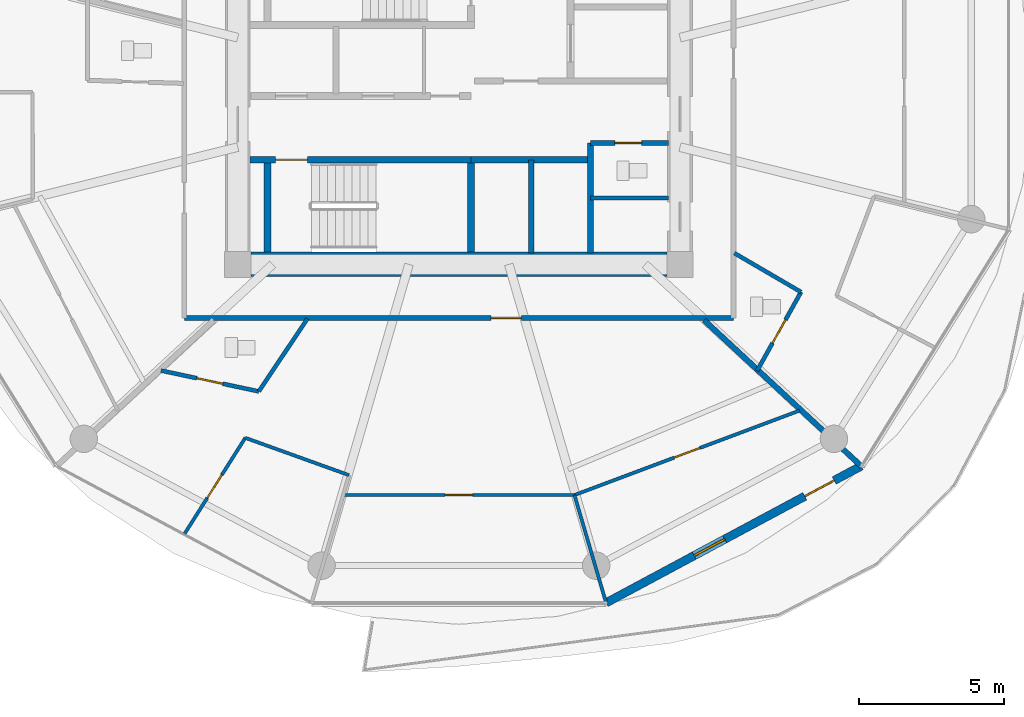
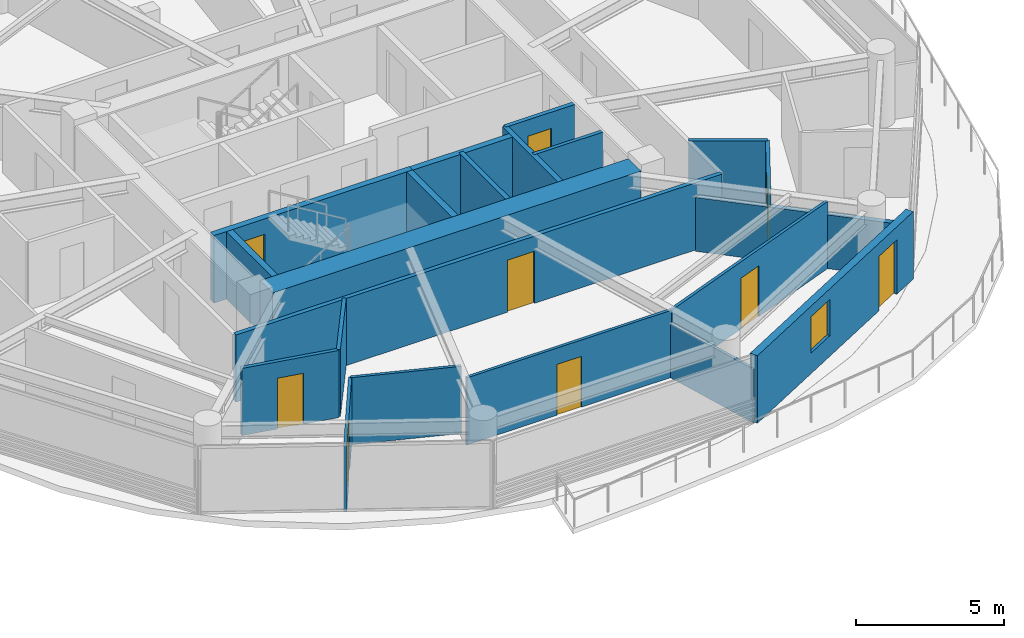
# One storey, part 18 of 27: 21 walls, 9 doors, 1 window, 10 openings.
"""IFC4 building model written with IfcOpenShell, lengths in metres."""

from ifc_helpers import new_model, si_unit, direction, frame, frame_2d, origin, place, context, subcontext, project, spatial, rectangle, extrude, source, transform, mapped, material, layer, layer_set, type_object, type_shapes, element, fill, save


model = new_model("IFC4")

# Units and contexts
model_context = context("Model", 3, precision=1e-05, world=origin(), true_north=direction((0.0, 1.0)))
body_context = subcontext(model_context, "Body", "Model", "MODEL_VIEW")
ifc_project = project(units=[si_unit("LENGTHUNIT", "METRE"), si_unit("AREAUNIT", "SQUARE_METRE"), si_unit("VOLUMEUNIT", "CUBIC_METRE"), si_unit("PLANEANGLEUNIT", "RADIAN"), si_unit("MASSUNIT", "GRAM", prefix="KILO")], contexts=[model_context])

# Site, building, storey
site_placement = place(None, origin())
site = spatial("IfcSite", under=ifc_project, at=site_placement, CompositionType="ELEMENT")
building_placement = place(site_placement, origin())
building = spatial("IfcBuilding", under=site, at=building_placement, Name="Norrkilde Senior Care Towers", CompositionType="ELEMENT")
storey_placement = place(building_placement, frame((0.0, 0.0, 36.85009765625)))
storey = spatial("IfcBuildingStorey", under=building, at=storey_placement, Name="L10", CompositionType="ELEMENT", Elevation=36.85009765625)

# Wall
ifc_material_1 = material(Name="Concrete C60/75", Category="concrete")
ifc_layer_1 = layer(ifc_material_1, 0.85009765625)
ifc_layer_set_1 = layer_set([ifc_layer_1], Name="Concrete C60/75")
wall_type_1 = type_object("IfcWallType", Name="Core Shear Wall Z1 850", PredefinedType="SHEAR", material=ifc_layer_set_1)
shared_shape_1 = source(origin(), body_context, "Body", "SweptSolid", [
    extrude(rectangle(XDim=14.39990234375, YDim=0.85009765625, at=frame_2d((7.199951171875, 0.0))), origin(), (0.0, 0.0, 1.0), 2.789794921875),
])
type_shapes(wall_type_1, [shared_shape_1])
wall_1_placement = place(storey_placement, frame((35.199951171875, -5.949951171875, 0.0), z_axis=(0.0, 0.0, 1.0), x_axis=(-1.0, 0.0, 0.0)))
element("IfcWall", 1, at=wall_1_placement, inside=storey, type_object=wall_type_1, Name="L10 Core E South Shear Wall", PredefinedType="SHEAR", context=body_context, shape_type="MappedRepresentation", body=[
    mapped(shared_shape_1, transform((0.0, 0.0, 0.0), x_axis=(1.0, 0.0, 0.0), y_axis=(0.0, 1.0, 0.0), z_axis=(0.0, 0.0, 1.0), scale=1.0)),
])

# Wall, openings, door, window
ifc_material_2 = material(Name="Precast concrete C45/55", Category="concrete")
ifc_layer_2 = layer(ifc_material_2, 0.2900390625)
ifc_layer_set_2 = layer_set([ifc_layer_2], Name="Precast concrete C45/55")
wall_type_2 = type_object("IfcWallType", Name="Winter Garden Facade Wall 290", PredefinedType="SOLIDWALL", material=ifc_layer_set_2)
shared_shape_2 = source(origin(), body_context, "Body", "SweptSolid", [
    extrude(rectangle(XDim=10.0107421875, YDim=0.2900390625, at=frame_2d((5.00537109375, 0.0))), origin(), (0.0, 0.0, 1.0), 2.789794921875),
])
type_shapes(wall_type_2, [shared_shape_2])
wall_2_placement = place(storey_placement, frame((41.915771484375, -12.926025390625, 0.0), z_axis=(0.0, 0.0, 1.0), x_axis=(-0.881272505317, -0.472608475773, 0.0)))
wall_2 = element("IfcWall", 2, at=wall_2_placement, inside=storey, type_object=wall_type_2, Name="L10 Drum E Balcony Access Wall 09", PredefinedType="SOLIDWALL", context=body_context, shape_type="MappedRepresentation", body=[
    mapped(shared_shape_2, transform((0.0, 0.0, 0.0), x_axis=(1.0, 0.0, 0.0), y_axis=(0.0, 1.0, 0.0), z_axis=(0.0, 0.0, 1.0), scale=1.0)),
])
opening_1_placement = place(wall_2_placement, frame((1.06005859375, 0.0, 0.0)))
opening_1 = element("IfcOpeningElement", 3, at=opening_1_placement, cuts=wall_2, Name="Opening D-09", PredefinedType="OPENING", context=body_context, shape_type="SweptSolid", body=[
    extrude(rectangle(XDim=1.14990234375, YDim=2.25, at=frame_2d((0.574951171875, 1.125))), frame((0.0, 0.155029296875, 0.0), z_axis=(0.0, -1.0, 0.0), x_axis=(1.0, 0.0, 0.0)), (0.0, 0.0, 1.0), 0.31005859375),
])
opening_2_placement = place(wall_2_placement, frame((5.35546875, 0.0, 0.85009765625)))
opening_2 = element("IfcOpeningElement", 4, at=opening_2_placement, cuts=wall_2, Name="Opening WN-07", PredefinedType="OPENING", context=body_context, shape_type="SweptSolid", body=[
    extrude(rectangle(XDim=1.199951171875, YDim=1.5, at=frame_2d((0.60009765625, 0.75))), frame((0.0, 0.155029296875, 0.0), z_axis=(0.0, -1.0, 0.0), x_axis=(1.0, 0.0, 0.0)), (0.0, 0.0, 1.0), 0.31005859375),
])
ifc_material_3 = material(Name="Anodised Aluminium", Category="aluminium")
door_type_1 = type_object("IfcDoorType", Name="Terrace and Balcony Glazed Door 1150x2250", OperationType="NOTDEFINED", PredefinedType="DOOR", material=ifc_material_3)
shared_shape_3 = source(origin(), body_context, "Body", "SweptSolid", [
    extrude(rectangle(XDim=1.14990234375, YDim=2.25, at=frame_2d((0.574951171875, 1.125))), frame((0.0, 0.02490234375, 0.0), z_axis=(0.0, -1.0, 0.0), x_axis=(1.0, 0.0, 0.0)), (0.0, 0.0, 1.0), 0.050048828125),
])
type_shapes(door_type_1, [shared_shape_3])
door_1_placement = place(opening_1_placement, origin())
door_1 = element("IfcDoor", 5, at=door_1_placement, inside=storey, type_object=door_type_1, Name="L10 Drum E Outdoor Terrace Door 09", OperationType="SINGLE_SWING_RIGHT", OverallHeight=2.25, OverallWidth=1.14990234375, PredefinedType="DOOR", context=body_context, shape_type="MappedRepresentation", body=[
    mapped(shared_shape_3, transform((0.0, 0.0, 0.0), x_axis=(1.0, 0.0, 0.0), y_axis=(0.0, 1.0, 0.0), z_axis=(0.0, 0.0, 1.0), scale=1.0)),
])
fill(opening_1, door_1)
ifc_material_4 = material(Name="Triple Low-E Insulated Glazing", Category="glass")
window_type = type_object("IfcWindowType", Name="Stairwell Smoke Vent Window 1200x1500", PartitioningType="SINGLE_PANEL", PredefinedType="WINDOW", material=ifc_material_4)
shared_shape_4 = source(origin(), body_context, "Body", "SweptSolid", [
    extrude(rectangle(XDim=1.199951171875, YDim=1.5, at=frame_2d((0.60009765625, 0.75))), frame((0.0, 0.030029296875, 0.0), z_axis=(0.0, -1.0, 0.0), x_axis=(1.0, 0.0, 0.0)), (0.0, 0.0, 1.0), 0.06005859375),
])
type_shapes(window_type, [shared_shape_4])
window_placement = place(opening_2_placement, origin())
window = element("IfcWindow", 6, at=window_placement, inside=storey, type_object=window_type, Name="L10 Drum E Winter Garden Window 09", OverallHeight=1.5, OverallWidth=1.199951171875, PartitioningType="SINGLE_PANEL", PredefinedType="WINDOW", context=body_context, shape_type="MappedRepresentation", body=[
    mapped(shared_shape_4, transform((0.0, 0.0, 0.0), x_axis=(1.0, 0.0, 0.0), y_axis=(0.0, 1.0, 0.0), z_axis=(0.0, 0.0, 1.0), scale=1.0)),
])
fill(opening_2, window)

# Wall, opening, door
ifc_material_5 = material(Name="Concrete C45/55", Category="concrete")
ifc_layer_3 = layer(ifc_material_5, 0.239990234375)
ifc_layer_set_3 = layer_set([ifc_layer_3], Name="Concrete C45/55")
wall_type_3 = type_object("IfcWallType", Name="Shaft and Stair Enclosure Wall 240", PredefinedType="PARTITIONING", material=ifc_layer_set_3)
shared_shape_5 = source(origin(), body_context, "Body", "SweptSolid", [
    extrude(rectangle(XDim=7.76513671875, YDim=0.239990234375, at=frame_2d((3.882568359375, 0.0))), origin(), (0.0, 0.0, 1.0), 2.789794921875),
])
wall_3_placement = place(storey_placement, frame((20.77490234375, -2.330078125, 0.0), z_axis=(0.0, 0.0, 1.0), x_axis=(1.0, 0.0, 0.0)))
wall_3 = element("IfcWall", 7, at=wall_3_placement, inside=storey, type_object=wall_type_3, Name="WL-INT-L10-E-ST2N", PredefinedType="PARTITIONING", context=body_context, shape_type="MappedRepresentation", body=[
    mapped(shared_shape_5, transform((0.0, 0.0, 0.0), x_axis=(1.0, 0.0, 0.0), y_axis=(0.0, 1.0, 0.0), z_axis=(0.0, 0.0, 1.0), scale=1.0)),
])
opening_3_placement = place(wall_3_placement, frame((0.885009765625, 0.0, 0.0)))
opening_3 = element("IfcOpeningElement", 8, at=opening_3_placement, cuts=wall_3, Name="Opening D-03", PredefinedType="OPENING", context=body_context, shape_type="SweptSolid", body=[
    extrude(rectangle(XDim=1.10009765625, YDim=2.14990234375, at=frame_2d((0.550048828125, 1.074951171875))), frame((0.0, 0.1298828125, 0.0), z_axis=(0.0, -1.0, 0.0), x_axis=(1.0, 0.0, 0.0)), (0.0, 0.0, 1.0), 0.260009765625),
])
ifc_material_6 = material(Name="Galvanised Painted Steel", Category="steel")
door_type_2 = type_object("IfcDoorType", Name="Stairwell Protected Fire Door 1100x2150", OperationType="NOTDEFINED", PredefinedType="DOOR", material=ifc_material_6)
shared_shape_6 = source(origin(), body_context, "Body", "SweptSolid", [
    extrude(rectangle(XDim=1.10009765625, YDim=2.14990234375, at=frame_2d((0.550048828125, 1.074951171875))), frame((0.0, 0.02490234375, 0.0), z_axis=(0.0, -1.0, 0.0), x_axis=(1.0, 0.0, 0.0)), (0.0, 0.0, 1.0), 0.050048828125),
])
type_shapes(door_type_2, [shared_shape_6])
door_2_placement = place(opening_3_placement, frame((1.10009765625, 0.0, 0.0), z_axis=(0.0, 0.0, 1.0), x_axis=(-1.0, 0.0, 0.0)))
door_2 = element("IfcDoor", 9, at=door_2_placement, inside=storey, type_object=door_type_2, Name="L10 Stair E2 Fire Door", OperationType="SINGLE_SWING_RIGHT", OverallHeight=2.14990234375, OverallWidth=1.10009765625, PredefinedType="DOOR", context=body_context, shape_type="MappedRepresentation", body=[
    mapped(shared_shape_6, transform((0.0, 0.0, 0.0), x_axis=(1.0, 0.0, 0.0), y_axis=(0.0, 1.0, 0.0), z_axis=(0.0, 0.0, 1.0), scale=1.0)),
])
fill(opening_3, door_2)

# Walls
shared_shape_7 = source(origin(), body_context, "Body", "SweptSolid", [
    extrude(rectangle(XDim=3.074951171875, YDim=0.239990234375, at=frame_2d((1.53759765625, 0.0))), origin(), (0.0, 0.0, 1.0), 2.789794921875),
])
type_shapes(wall_type_3, [shared_shape_5, shared_shape_7])
for number, where, z_axis, x_axis, name in (
    (10, (21.3798828125, -5.52490234375, 0.0), (0.0, 0.0, 1.0), (0.0, 1.0, 0.0), "WL-INT-L10-E-ST2W"),
    (11, (28.419921875, -5.52490234375, 0.0), (0.0, 0.0, 1.0), (0.0, 1.0, 0.0), "WL-INT-L10-E-ST2E"),
):
    element("IfcWall", number, at=place(storey_placement, frame(where, z_axis=z_axis, x_axis=x_axis)), inside=storey, type_object=wall_type_3, Name=name, PredefinedType="PARTITIONING", context=body_context, shape_type="MappedRepresentation", body=[
        mapped(shared_shape_7, transform((0.0, 0.0, 0.0), x_axis=(1.0, 0.0, 0.0), y_axis=(0.0, 1.0, 0.0), z_axis=(0.0, 0.0, 1.0), scale=1.0)),
    ])
ifc_layer_4 = layer(ifc_material_5, 0.199951171875)
ifc_layer_set_4 = layer_set([ifc_layer_4], Name="Concrete C45/55")
wall_type_4 = type_object("IfcWallType", Name="Shaft Division and Plant Partition 200", PredefinedType="PARTITIONING", material=ifc_layer_set_4)
shared_shape_8 = source(origin(), body_context, "Body", "SweptSolid", [
    extrude(rectangle(XDim=3.800048828125, YDim=0.199951171875, at=frame_2d((1.89990234375, 0.0))), origin(), (0.0, 0.0, 1.0), 2.77490234375),
])
type_shapes(wall_type_4, [shared_shape_8])
wall_4_placement = place(storey_placement, frame((32.550048828125, -5.550048828125, 0.0), z_axis=(0.0, 0.0, 1.0), x_axis=(0.0, 1.0, 0.0)))
element("IfcWall", 12, at=wall_4_placement, inside=storey, type_object=wall_type_4, Name="WL-INT-L10-E-PKBE", PredefinedType="PARTITIONING", context=body_context, shape_type="MappedRepresentation", body=[
    mapped(shared_shape_8, transform((0.0, 0.0, 0.0), x_axis=(1.0, 0.0, 0.0), y_axis=(0.0, 1.0, 0.0), z_axis=(0.0, 0.0, 1.0), scale=1.0)),
])
ifc_layer_5 = layer(ifc_material_5, 0.239990234375)
ifc_layer_set_5 = layer_set([ifc_layer_5], Name="Concrete C45/55")
wall_type_5 = type_object("IfcWallType", Name="Lift and Plant Rated Enclosure Partition 240", PredefinedType="PARTITIONING", material=ifc_layer_set_5)
shared_shape_9 = source(origin(), body_context, "Body", "SweptSolid", [
    extrude(rectangle(XDim=4.130126953125, YDim=0.239990234375, at=frame_2d((2.06494140625, 0.0))), origin(), (0.0, 0.0, 1.0), 2.77490234375),
])
type_shapes(wall_type_5, [shared_shape_9])
wall_5_placement = place(storey_placement, frame((28.419921875, -2.330078125, 0.0), z_axis=(0.0, 0.0, 1.0), x_axis=(1.0, 0.0, 0.0)))
element("IfcWall", 13, at=wall_5_placement, inside=storey, type_object=wall_type_5, Name="WL-INT-L10-E-PKBN", PredefinedType="PARTITIONING", context=body_context, shape_type="MappedRepresentation", body=[
    mapped(shared_shape_9, transform((0.0, 0.0, 0.0), x_axis=(1.0, 0.0, 0.0), y_axis=(0.0, 1.0, 0.0), z_axis=(0.0, 0.0, 1.0), scale=1.0)),
])
ifc_layer_6 = layer(ifc_material_5, 0.179931640625)
ifc_layer_set_6 = layer_set([ifc_layer_6], Name="Concrete C45/55")
wall_type_6 = type_object("IfcWallType", Name="Hoistway Division Rated Partition 180", PredefinedType="PARTITIONING", material=ifc_layer_set_6)
shared_shape_10 = source(origin(), body_context, "Body", "SweptSolid", [
    extrude(rectangle(XDim=3.219970703125, YDim=0.179931640625, at=frame_2d((1.60986328125, 0.0))), origin(), (0.0, 0.0, 1.0), 2.77490234375),
])
type_shapes(wall_type_6, [shared_shape_10])
wall_6_placement = place(storey_placement, frame((30.5, -5.550048828125, 0.0), z_axis=(0.0, 0.0, 1.0), x_axis=(0.0, 1.0, 0.0)))
element("IfcWall", 14, at=wall_6_placement, inside=storey, type_object=wall_type_6, Name="WL-INT-L10-E-PL34", PredefinedType="PARTITIONING", context=body_context, shape_type="MappedRepresentation", body=[
    mapped(shared_shape_10, transform((0.0, 0.0, 0.0), x_axis=(1.0, 0.0, 0.0), y_axis=(0.0, 1.0, 0.0), z_axis=(0.0, 0.0, 1.0), scale=1.0)),
])

# Wall, opening, door
ifc_material_7 = material(Name="Gypsum Acoustic Board")
ifc_layer_7 = layer(ifc_material_7, 0.1650390625)
ifc_layer_set_7 = layer_set([ifc_layer_7], Name="Gypsum Acoustic Board")
wall_type_7 = type_object("IfcWallType", Name="Corridor Rated Partition 165", PredefinedType="PARTITIONING", material=ifc_layer_set_7)
shared_shape_11 = source(origin(), body_context, "Body", "SweptSolid", [
    extrude(rectangle(XDim=2.699951171875, YDim=0.1650390625, at=frame_2d((1.35009765625, 0.0))), origin(), (0.0, 0.0, 1.0), 2.77490234375),
])
wall_7_placement = place(storey_placement, frame((32.550048828125, -1.75, 0.0), z_axis=(0.0, 0.0, 1.0), x_axis=(1.0, 0.0, 0.0)))
wall_7 = element("IfcWall", 15, at=wall_7_placement, inside=storey, type_object=wall_type_7, Name="WL-INT-L10-E-CSN", PredefinedType="PARTITIONING", context=body_context, shape_type="MappedRepresentation", body=[
    mapped(shared_shape_11, transform((0.0, 0.0, 0.0), x_axis=(1.0, 0.0, 0.0), y_axis=(0.0, 1.0, 0.0), z_axis=(0.0, 0.0, 1.0), scale=1.0)),
])
opening_4_placement = place(wall_7_placement, frame((0.85009765625, 0.0, 0.0)))
opening_4 = element("IfcOpeningElement", 16, at=opening_4_placement, cuts=wall_7, Name="Opening D-12", PredefinedType="OPENING", context=body_context, shape_type="SweptSolid", body=[
    extrude(rectangle(XDim=0.925048828125, YDim=2.10009765625, at=frame_2d((0.46240234375, 1.050048828125))), frame((0.0, 0.092529296875, 0.0), z_axis=(0.0, -1.0, 0.0), x_axis=(1.0, 0.0, 0.0)), (0.0, 0.0, 1.0), 0.18505859375),
])
door_type_3 = type_object("IfcDoorType", Name="Core Wet Room Rated Door 925x2100", OperationType="NOTDEFINED", PredefinedType="DOOR", material=ifc_material_6)
shared_shape_12 = source(origin(), body_context, "Body", "SweptSolid", [
    extrude(rectangle(XDim=0.925048828125, YDim=2.10009765625, at=frame_2d((0.46240234375, 1.050048828125))), frame((0.0, 0.02490234375, 0.0), z_axis=(0.0, -1.0, 0.0), x_axis=(1.0, 0.0, 0.0)), (0.0, 0.0, 1.0), 0.050048828125),
])
type_shapes(door_type_3, [shared_shape_12])
door_3_placement = place(opening_4_placement, origin())
door_3 = element("IfcDoor", 17, at=door_3_placement, inside=storey, type_object=door_type_3, Name="L10 Staff WC E Door", OperationType="SINGLE_SWING_LEFT", OverallHeight=2.10009765625, OverallWidth=0.925048828125, PredefinedType="DOOR", context=body_context, shape_type="MappedRepresentation", body=[
    mapped(shared_shape_12, transform((0.0, 0.0, 0.0), x_axis=(1.0, 0.0, 0.0), y_axis=(0.0, 1.0, 0.0), z_axis=(0.0, 0.0, 1.0), scale=1.0)),
])
fill(opening_4, door_3)

# Wall
ifc_layer_8 = layer(ifc_material_7, 0.139892578125)
ifc_layer_set_8 = layer_set([ifc_layer_8], Name="Gypsum Acoustic Board")
wall_type_8 = type_object("IfcWallType", Name="En-suite Wet Room Wall 140", PredefinedType="PARTITIONING", material=ifc_layer_set_8)
shared_shape_13 = source(origin(), body_context, "Body", "SweptSolid", [
    extrude(rectangle(XDim=2.699951171875, YDim=0.139892578125, at=frame_2d((1.35009765625, 0.0))), origin(), (0.0, 0.0, 1.0), 2.77490234375),
])
wall_8_placement = place(storey_placement, frame((32.550048828125, -3.64990234375, 0.0), z_axis=(0.0, 0.0, 1.0), x_axis=(1.0, 0.0, 0.0)))
element("IfcWall", 18, at=wall_8_placement, inside=storey, type_object=wall_type_8, Name="WL-INT-L10-E-CS2H", PredefinedType="PARTITIONING", context=body_context, shape_type="MappedRepresentation", body=[
    mapped(shared_shape_13, transform((0.0, 0.0, 0.0), x_axis=(1.0, 0.0, 0.0), y_axis=(0.0, 1.0, 0.0), z_axis=(0.0, 0.0, 1.0), scale=1.0)),
])

# Wall, opening, door
shared_shape_14 = source(origin(), body_context, "Body", "SweptSolid", [
    extrude(rectangle(XDim=19.0, YDim=0.1650390625, at=frame_2d((9.5, 0.0))), origin(), (0.0, 0.0, 1.0), 2.77490234375),
])
type_shapes(wall_type_7, [shared_shape_11, shared_shape_14])
wall_9_placement = place(storey_placement, frame((37.5, -7.800048828125, 0.0), z_axis=(0.0, 0.0, 1.0), x_axis=(-1.0, 0.0, 0.0)))
wall_9 = element("IfcWall", 19, at=wall_9_placement, inside=storey, type_object=wall_type_7, Name="WL-INT-L10-E-CRW-S-0", PredefinedType="PARTITIONING", context=body_context, shape_type="MappedRepresentation", body=[
    mapped(shared_shape_14, transform((0.0, 0.0, 0.0), x_axis=(1.0, 0.0, 0.0), y_axis=(0.0, 1.0, 0.0), z_axis=(0.0, 0.0, 1.0), scale=1.0)),
])
opening_5_placement = place(wall_9_placement, frame((7.33642578125, 0.0, 0.0)))
opening_5 = element("IfcOpeningElement", 20, at=opening_5_placement, cuts=wall_9, Name="Opening D-06", PredefinedType="OPENING", context=body_context, shape_type="SweptSolid", body=[
    extrude(rectangle(XDim=1.050048828125, YDim=2.14990234375, at=frame_2d((0.52490234375, 1.074951171875))), frame((0.0, 0.092529296875, 0.0), z_axis=(0.0, -1.0, 0.0), x_axis=(1.0, 0.0, 0.0)), (0.0, 0.0, 1.0), 0.18505859375),
])
ifc_material_8 = material(Name="Nordic Ash Timber", Category="wood")
door_type_4 = type_object("IfcDoorType", Name="Apartment Entrance Fire Door 1050x2150", OperationType="NOTDEFINED", PredefinedType="DOOR", material=ifc_material_8)
shared_shape_15 = source(origin(), body_context, "Body", "SweptSolid", [
    extrude(rectangle(XDim=1.050048828125, YDim=2.14990234375, at=frame_2d((0.52490234375, 1.074951171875))), frame((0.0, 0.02490234375, 0.0), z_axis=(0.0, -1.0, 0.0), x_axis=(1.0, 0.0, 0.0)), (0.0, 0.0, 1.0), 0.050048828125),
])
type_shapes(door_type_4, [shared_shape_15])
door_4_placement = place(opening_5_placement, frame((1.050048828125, 0.0, 0.0), z_axis=(0.0, 0.0, 1.0), x_axis=(-1.0, 0.0, 0.0)))
door_4 = element("IfcDoor", 21, at=door_4_placement, inside=storey, type_object=door_type_4, Name="Apartment 10E Entrance Door", OperationType="SINGLE_SWING_RIGHT", OverallHeight=2.14990234375, OverallWidth=1.050048828125, PredefinedType="DOOR", context=body_context, shape_type="MappedRepresentation", body=[
    mapped(shared_shape_15, transform((0.0, 0.0, 0.0), x_axis=(1.0, 0.0, 0.0), y_axis=(0.0, 1.0, 0.0), z_axis=(0.0, 0.0, 1.0), scale=1.0)),
])
fill(opening_5, door_4)

# Wall
ifc_layer_9 = layer(ifc_material_7, 0.18994140625)
ifc_layer_set_9 = layer_set([ifc_layer_9], Name="Gypsum Acoustic Board")
wall_type_9 = type_object("IfcWallType", Name="Unit Demising Acoustic Wall 190", PredefinedType="PARTITIONING", material=ifc_layer_set_9)
shared_shape_16 = source(origin(), body_context, "Body", "SweptSolid", [
    extrude(rectangle(XDim=7.4345703125, YDim=0.18994140625, at=frame_2d((3.71728515625, 0.0))), origin(), (0.0, 0.0, 1.0), 2.224853515625),
])
type_shapes(wall_type_9, [shared_shape_16])
wall_10_placement = place(storey_placement, frame((36.48291015625, -7.8798828125, 0.0), z_axis=(0.0, 0.0, 1.0), x_axis=(0.732651956848, -0.680603489652, 0.0)))
element("IfcWall", 22, at=wall_10_placement, inside=storey, type_object=wall_type_9, Name="WL-INT-L10-E-DEM-10-0", PredefinedType="PARTITIONING", context=body_context, shape_type="MappedRepresentation", body=[
    mapped(shared_shape_16, transform((0.0, 0.0, 0.0), x_axis=(1.0, 0.0, 0.0), y_axis=(0.0, 1.0, 0.0), z_axis=(0.0, 0.0, 1.0), scale=1.0)),
])

# Wall, opening, door
ifc_layer_10 = layer(ifc_material_7, 0.114990234375)
ifc_layer_set_10 = layer_set([ifc_layer_10], Name="Gypsum Acoustic Board")
wall_type_10 = type_object("IfcWallType", Name="Internal Room Partition 115", PredefinedType="PARTITIONING", material=ifc_layer_set_10)
shared_shape_17 = source(origin(), body_context, "Body", "SweptSolid", [
    extrude(rectangle(XDim=7.99267578125, YDim=0.114990234375, at=frame_2d((3.996337890625, 0.0))), origin(), (0.0, 0.0, 1.0), 2.77490234375),
])
wall_11_placement = place(storey_placement, frame((24.003662109375, -13.927001953125, 0.0), z_axis=(0.0, 0.0, 1.0), x_axis=(1.0, 0.0, 0.0)))
wall_11 = element("IfcWall", 23, at=wall_11_placement, inside=storey, type_object=wall_type_10, Name="WL-INT-L10-E-UBC-07-1", PredefinedType="PARTITIONING", context=body_context, shape_type="MappedRepresentation", body=[
    mapped(shared_shape_17, transform((0.0, 0.0, 0.0), x_axis=(1.0, 0.0, 0.0), y_axis=(0.0, 1.0, 0.0), z_axis=(0.0, 0.0, 1.0), scale=1.0)),
])
opening_6_placement = place(wall_11_placement, frame((3.521484375, 0.0, 0.0)))
opening_6 = element("IfcOpeningElement", 24, at=opening_6_placement, cuts=wall_11, Name="Opening D-07", PredefinedType="OPENING", context=body_context, shape_type="SweptSolid", body=[
    extrude(rectangle(XDim=0.949951171875, YDim=2.10009765625, at=frame_2d((0.47509765625, 1.050048828125))), frame((0.0, 0.0673828125, 0.0), z_axis=(0.0, -1.0, 0.0), x_axis=(1.0, 0.0, 0.0)), (0.0, 0.0, 1.0), 0.135009765625),
])
door_type_5 = type_object("IfcDoorType", Name="Internal Suite Bedroom Door 950x2100", OperationType="NOTDEFINED", PredefinedType="DOOR", material=ifc_material_8)
shared_shape_18 = source(origin(), body_context, "Body", "SweptSolid", [
    extrude(rectangle(XDim=0.949951171875, YDim=2.10009765625, at=frame_2d((0.47509765625, 1.050048828125))), frame((0.0, 0.02490234375, 0.0), z_axis=(0.0, -1.0, 0.0), x_axis=(1.0, 0.0, 0.0)), (0.0, 0.0, 1.0), 0.050048828125),
])
type_shapes(door_type_5, [shared_shape_18])
door_5_placement = place(opening_6_placement, origin())
door_5 = element("IfcDoor", 25, at=door_5_placement, inside=storey, type_object=door_type_5, Name="Apartment 10E Bedroom 1 Door", OperationType="SINGLE_SWING_LEFT", OverallHeight=2.10009765625, OverallWidth=0.949951171875, PredefinedType="DOOR", context=body_context, shape_type="MappedRepresentation", body=[
    mapped(shared_shape_18, transform((0.0, 0.0, 0.0), x_axis=(1.0, 0.0, 0.0), y_axis=(0.0, 1.0, 0.0), z_axis=(0.0, 0.0, 1.0), scale=1.0)),
])
fill(opening_6, door_5)

# Wall
shared_shape_19 = source(origin(), body_context, "Body", "SweptSolid", [
    extrude(rectangle(XDim=3.025146484375, YDim=0.139892578125, at=frame_2d((1.5126953125, 0.0))), origin(), (0.0, 0.0, 1.0), 2.77490234375),
])
wall_12_placement = place(storey_placement, frame((22.76025390625, -7.830078125, 0.0), z_axis=(0.0, 0.0, 1.0), x_axis=(-0.556189165904, -0.831055721195, 0.0)))
element("IfcWall", 26, at=wall_12_placement, inside=storey, type_object=wall_type_8, Name="WL-INT-L10-E-UBTS-07", PredefinedType="PARTITIONING", context=body_context, shape_type="MappedRepresentation", body=[
    mapped(shared_shape_19, transform((0.0, 0.0, 0.0), x_axis=(1.0, 0.0, 0.0), y_axis=(0.0, 1.0, 0.0), z_axis=(0.0, 0.0, 1.0), scale=1.0)),
])

# Wall, opening, door
shared_shape_20 = source(origin(), body_context, "Body", "SweptSolid", [
    extrude(rectangle(XDim=3.458984375, YDim=0.139892578125, at=frame_2d((1.7294921875, 0.0))), origin(), (0.0, 0.0, 1.0), 2.77490234375),
])
wall_13_placement = place(storey_placement, frame((21.07763671875, -10.34423828125, 0.0), z_axis=(0.0, 0.0, 1.0), x_axis=(-0.978006468578, 0.208574560815, 0.0)))
wall_13 = element("IfcWall", 27, at=wall_13_placement, inside=storey, type_object=wall_type_8, Name="WL-INT-L10-E-UBTF-07", PredefinedType="PARTITIONING", context=body_context, shape_type="MappedRepresentation", body=[
    mapped(shared_shape_20, transform((0.0, 0.0, 0.0), x_axis=(1.0, 0.0, 0.0), y_axis=(0.0, 1.0, 0.0), z_axis=(0.0, 0.0, 1.0), scale=1.0)),
])
opening_7_placement = place(wall_13_placement, frame((1.26953125, 0.0, 0.0)))
opening_7 = element("IfcOpeningElement", 28, at=opening_7_placement, cuts=wall_13, Name="Opening D-08", PredefinedType="OPENING", context=body_context, shape_type="SweptSolid", body=[
    extrude(rectangle(XDim=0.919921875, YDim=2.10009765625, at=frame_2d((0.4599609375, 1.050048828125))), frame((0.0, 0.079833984375, 0.0), z_axis=(0.0, -1.0, 0.0), x_axis=(1.0, 0.0, 0.0)), (0.0, 0.0, 1.0), 0.159912109375),
])
door_type_6 = type_object("IfcDoorType", Name="Accessible Wet Room Door 920x2100", OperationType="NOTDEFINED", PredefinedType="DOOR", material=ifc_material_8)
shared_shape_21 = source(origin(), body_context, "Body", "SweptSolid", [
    extrude(rectangle(XDim=0.919921875, YDim=2.10009765625, at=frame_2d((0.4599609375, 1.050048828125))), frame((0.0, 0.02490234375, 0.0), z_axis=(0.0, -1.0, 0.0), x_axis=(1.0, 0.0, 0.0)), (0.0, 0.0, 1.0), 0.050048828125),
])
type_shapes(door_type_6, [shared_shape_21])
door_6_placement = place(opening_7_placement, origin())
door_6 = element("IfcDoor", 29, at=door_6_placement, inside=storey, type_object=door_type_6, Name="Apartment 10E Bathroom Door", OperationType="SINGLE_SWING_LEFT", OverallHeight=2.10009765625, OverallWidth=0.919921875, PredefinedType="DOOR", context=body_context, shape_type="MappedRepresentation", body=[
    mapped(shared_shape_21, transform((0.0, 0.0, 0.0), x_axis=(1.0, 0.0, 0.0), y_axis=(0.0, 1.0, 0.0), z_axis=(0.0, 0.0, 1.0), scale=1.0)),
])
fill(opening_7, door_6)

shared_shape_22 = source(origin(), body_context, "Body", "SweptSolid", [
    extrude(rectangle(XDim=8.31982421875, YDim=0.114990234375, at=frame_2d((4.159912109375, 0.0))), origin(), (0.0, 0.0, 1.0), 2.77490234375),
])
wall_14_placement = place(storey_placement, frame((31.997314453125, -13.93017578125, 0.0), z_axis=(0.0, 0.0, 1.0), x_axis=(0.936180763098, 0.351518959382, 0.0)))
wall_14 = element("IfcWall", 30, at=wall_14_placement, inside=storey, type_object=wall_type_10, Name="WL-INT-L10-E-UBC-07-2", PredefinedType="PARTITIONING", context=body_context, shape_type="MappedRepresentation", body=[
    mapped(shared_shape_22, transform((0.0, 0.0, 0.0), x_axis=(1.0, 0.0, 0.0), y_axis=(0.0, 1.0, 0.0), z_axis=(0.0, 0.0, 1.0), scale=1.0)),
])
opening_8_placement = place(wall_14_placement, frame((3.684814453125, 0.0, 0.0)))
opening_8 = element("IfcOpeningElement", 31, at=opening_8_placement, cuts=wall_14, Name="Opening D-07", PredefinedType="OPENING", context=body_context, shape_type="SweptSolid", body=[
    extrude(rectangle(XDim=0.949951171875, YDim=2.10009765625, at=frame_2d((0.47509765625, 1.050048828125))), frame((0.0, 0.0673828125, 0.0), z_axis=(0.0, -1.0, 0.0), x_axis=(1.0, 0.0, 0.0)), (0.0, 0.0, 1.0), 0.135009765625),
])
door_7_placement = place(opening_8_placement, frame((0.949951171875, 0.0, 0.0), z_axis=(0.0, 0.0, 1.0), x_axis=(-1.0, 0.0, 0.0)))
door_7 = element("IfcDoor", 32, at=door_7_placement, inside=storey, type_object=door_type_5, Name="Apartment 10E Bedroom 2 Door", OperationType="SINGLE_SWING_RIGHT", OverallHeight=2.10009765625, OverallWidth=0.949951171875, PredefinedType="DOOR", context=body_context, shape_type="MappedRepresentation", body=[
    mapped(shared_shape_18, transform((0.0, 0.0, 0.0), x_axis=(1.0, 0.0, 0.0), y_axis=(0.0, 1.0, 0.0), z_axis=(0.0, 0.0, 1.0), scale=1.0)),
])
fill(opening_8, door_7)

shared_shape_23 = source(origin(), body_context, "Body", "SweptSolid", [
    extrude(rectangle(XDim=3.974365234375, YDim=0.114990234375, at=frame_2d((1.9873046875, 0.0))), origin(), (0.0, 0.0, 1.0), 2.77490234375),
])
wall_15_placement = place(storey_placement, frame((20.611083984375, -11.9501953125, 0.0), z_axis=(0.0, 0.0, 1.0), x_axis=(-0.534810918023, -0.844971764003, 0.0)))
wall_15 = element("IfcWall", 33, at=wall_15_placement, inside=storey, type_object=wall_type_10, Name="WL-INT-L10-E-UKTS-07", PredefinedType="PARTITIONING", context=body_context, shape_type="MappedRepresentation", body=[
    mapped(shared_shape_23, transform((0.0, 0.0, 0.0), x_axis=(1.0, 0.0, 0.0), y_axis=(0.0, 1.0, 0.0), z_axis=(0.0, 0.0, 1.0), scale=1.0)),
])
opening_9_placement = place(wall_15_placement, frame((1.51220703125, 0.0, 0.0)))
opening_9 = element("IfcOpeningElement", 34, at=opening_9_placement, cuts=wall_15, Name="Opening D-07", PredefinedType="OPENING", context=body_context, shape_type="SweptSolid", body=[
    extrude(rectangle(XDim=0.949951171875, YDim=2.10009765625, at=frame_2d((0.47509765625, 1.050048828125))), frame((0.0, 0.0673828125, 0.0), z_axis=(0.0, -1.0, 0.0), x_axis=(1.0, 0.0, 0.0)), (0.0, 0.0, 1.0), 0.135009765625),
])
door_8_placement = place(opening_9_placement, frame((0.949951171875, 0.0, 0.0), z_axis=(0.0, 0.0, 1.0), x_axis=(-1.0, 0.0, 0.0)))
door_8 = element("IfcDoor", 35, at=door_8_placement, inside=storey, type_object=door_type_5, Name="Apartment 10E Kitchen Door", OperationType="SINGLE_SWING_RIGHT", OverallHeight=2.10009765625, OverallWidth=0.949951171875, PredefinedType="DOOR", context=body_context, shape_type="MappedRepresentation", body=[
    mapped(shared_shape_18, transform((0.0, 0.0, 0.0), x_axis=(1.0, 0.0, 0.0), y_axis=(0.0, 1.0, 0.0), z_axis=(0.0, 0.0, 1.0), scale=1.0)),
])
fill(opening_9, door_8)

# Walls
shared_shape_24 = source(origin(), body_context, "Body", "SweptSolid", [
    extrude(rectangle(XDim=3.814453125, YDim=0.114990234375, at=frame_2d((1.9072265625, 0.0))), origin(), (0.0, 0.0, 1.0), 2.77490234375),
])
wall_16_placement = place(storey_placement, frame((20.611083984375, -11.9501953125, 0.0), z_axis=(0.0, 0.0, 1.0), x_axis=(0.940935542004, -0.338585743637, 0.0)))
element("IfcWall", 36, at=wall_16_placement, inside=storey, type_object=wall_type_10, Name="WL-INT-L10-E-UKTF-07", PredefinedType="PARTITIONING", context=body_context, shape_type="MappedRepresentation", body=[
    mapped(shared_shape_24, transform((0.0, 0.0, 0.0), x_axis=(1.0, 0.0, 0.0), y_axis=(0.0, 1.0, 0.0), z_axis=(0.0, 0.0, 1.0), scale=1.0)),
])
shared_shape_25 = source(origin(), body_context, "Body", "SweptSolid", [
    extrude(rectangle(XDim=2.66943359375, YDim=0.139892578125, at=frame_2d((1.334716796875, 0.0))), origin(), (0.0, 0.0, 1.0), 2.77490234375),
])
wall_17_placement = place(storey_placement, frame((37.530029296875, -5.560546875, 0.0), z_axis=(0.0, 0.0, 1.0), x_axis=(0.86369928178, -0.50400749067, 0.0)))
element("IfcWall", 37, at=wall_17_placement, inside=storey, type_object=wall_type_8, Name="WL-INT-L10-E-UBTS-10", PredefinedType="PARTITIONING", context=body_context, shape_type="MappedRepresentation", body=[
    mapped(shared_shape_25, transform((0.0, 0.0, 0.0), x_axis=(1.0, 0.0, 0.0), y_axis=(0.0, 1.0, 0.0), z_axis=(0.0, 0.0, 1.0), scale=1.0)),
])

# Wall, opening, door
shared_shape_26 = source(origin(), body_context, "Body", "SweptSolid", [
    extrude(rectangle(XDim=3.121337890625, YDim=0.139892578125, at=frame_2d((1.560546875, 0.0))), origin(), (0.0, 0.0, 1.0), 2.77490234375),
])
type_shapes(wall_type_8, [shared_shape_13, shared_shape_19, shared_shape_20, shared_shape_25, shared_shape_26])
wall_18_placement = place(storey_placement, frame((39.835693359375, -6.906005859375, 0.0), z_axis=(0.0, 0.0, 1.0), x_axis=(-0.487302357327, -0.873233309342, 0.0)))
wall_18 = element("IfcWall", 38, at=wall_18_placement, inside=storey, type_object=wall_type_8, Name="WL-INT-L10-E-UBTF-10", PredefinedType="PARTITIONING", context=body_context, shape_type="MappedRepresentation", body=[
    mapped(shared_shape_26, transform((0.0, 0.0, 0.0), x_axis=(1.0, 0.0, 0.0), y_axis=(0.0, 1.0, 0.0), z_axis=(0.0, 0.0, 1.0), scale=1.0)),
])
opening_10_placement = place(wall_18_placement, frame((1.1005859375, 0.0, 0.0)))
opening_10 = element("IfcOpeningElement", 39, at=opening_10_placement, cuts=wall_18, Name="Opening D-08", PredefinedType="OPENING", context=body_context, shape_type="SweptSolid", body=[
    extrude(rectangle(XDim=0.919921875, YDim=2.10009765625, at=frame_2d((0.4599609375, 1.050048828125))), frame((0.0, 0.079833984375, 0.0), z_axis=(0.0, -1.0, 0.0), x_axis=(1.0, 0.0, 0.0)), (0.0, 0.0, 1.0), 0.159912109375),
])
door_9_placement = place(opening_10_placement, origin())
door_9 = element("IfcDoor", 40, at=door_9_placement, inside=storey, type_object=door_type_6, Name="Apartment 10F Bathroom Door", OperationType="SINGLE_SWING_RIGHT", OverallHeight=2.10009765625, OverallWidth=0.919921875, PredefinedType="DOOR", context=body_context, shape_type="MappedRepresentation", body=[
    mapped(shared_shape_21, transform((0.0, 0.0, 0.0), x_axis=(1.0, 0.0, 0.0), y_axis=(0.0, 1.0, 0.0), z_axis=(0.0, 0.0, 1.0), scale=1.0)),
])
fill(opening_10, door_9)

# Wall
shared_shape_27 = source(origin(), body_context, "Body", "SweptSolid", [
    extrude(rectangle(XDim=3.90478515625, YDim=0.114990234375, at=frame_2d((1.952392578125, 0.0))), origin(), (0.0, 0.0, 1.0), 2.224853515625),
])
type_shapes(wall_type_10, [shared_shape_17, shared_shape_22, shared_shape_23, shared_shape_24, shared_shape_27])
wall_19_placement = place(storey_placement, frame((31.997314453125, -13.93017578125, 0.0), z_axis=(0.0, 0.0, 1.0), x_axis=(0.282037692958, -0.959403324859, 0.0)))
element("IfcWall", 41, at=wall_19_placement, inside=storey, type_object=wall_type_10, Name="WL-INT-L10-E-UBR-07-2", PredefinedType="PARTITIONING", context=body_context, shape_type="MappedRepresentation", body=[
    mapped(shared_shape_27, transform((0.0, 0.0, 0.0), x_axis=(1.0, 0.0, 0.0), y_axis=(0.0, 1.0, 0.0), z_axis=(0.0, 0.0, 1.0), scale=1.0)),
])

save(model, "model.ifc")
